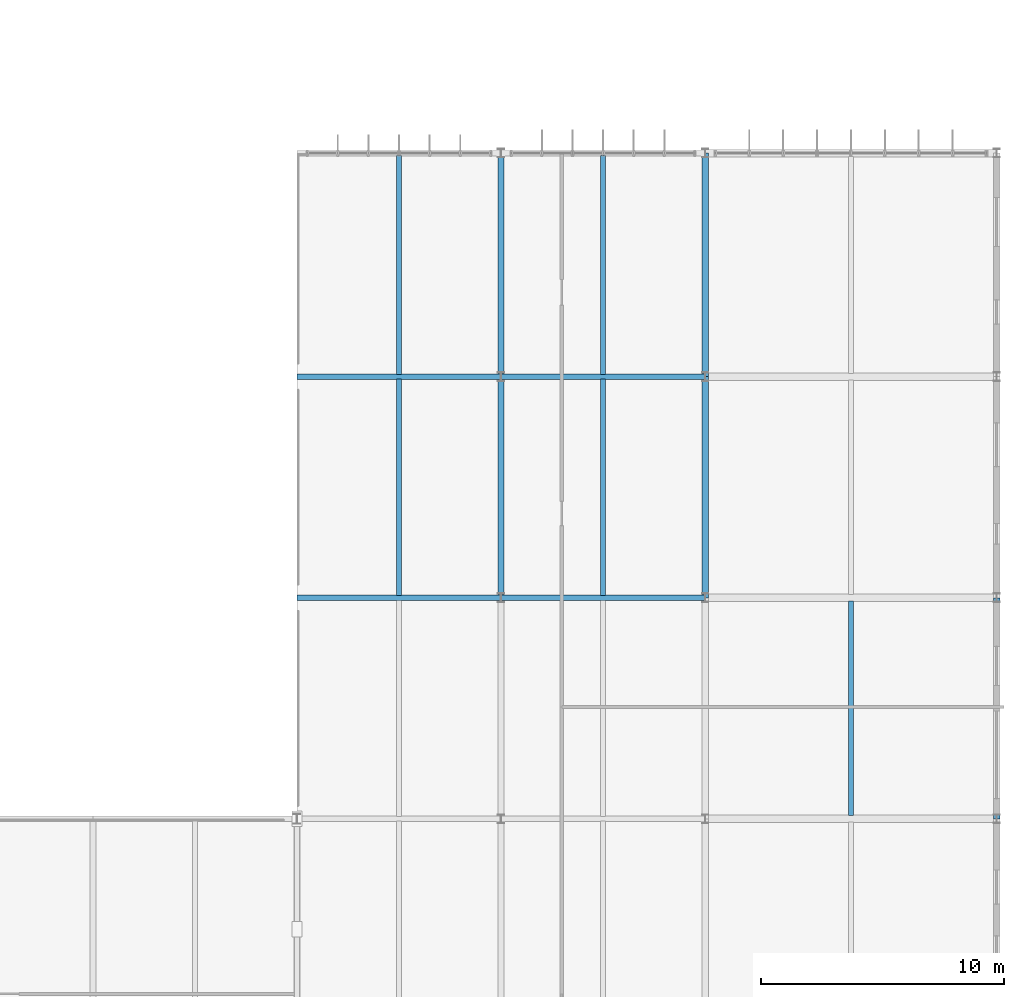
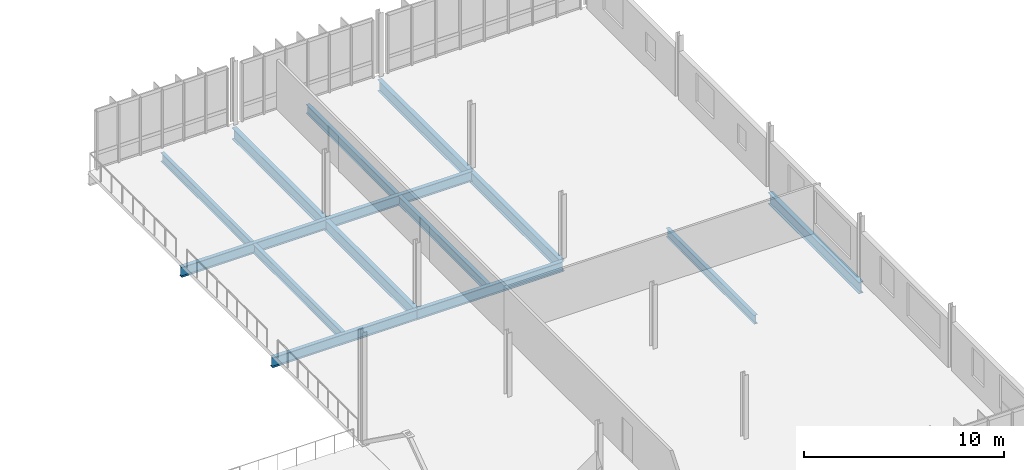
# One storey, part 36 of 61: 14 beams.
"""IFC4 building model written with IfcOpenShell, lengths in metres."""

import ifcopenshell
import ifcopenshell.guid

model = None  # the IFC model being written
_history = None  # IfcOwnerHistory: only IFC2X3 demands one
_inside = {}  # id of a spatial element -> (the spatial element, [elements in it])
_under = {}  # id of a project, library or spatial element -> (it, [spatial elements below it])
_declared = {}  # id of a project -> (the project, [libraries it declares])
_typed = {}  # id of a type object -> (the type object, [elements of that type])
_made_of = {}  # id of a material, layer set ... -> (it, [elements and type objects made of it])


def new_model(schema):
    """Start an empty IFC model of exactly this schema.

    Asked for "IFC4X3", IfcOpenShell would pick the latest addendum, in which some entities
    have other attributes; the version numbers below select the first issue.
    IFC2X3 requires an IfcOwnerHistory on every rooted entity: one is made here for all.
    """
    global model, _history
    if schema == "IFC4X3":
        model = ifcopenshell.file(schema_version=(4, 3, 0, 0))
    else:
        model = ifcopenshell.file(schema=schema)
    _inside.clear()
    _under.clear()
    _declared.clear()
    _typed.clear()
    _made_of.clear()
    _history = None
    if model.schema == "IFC2X3":
        org = make("IfcOrganization", Name="unknown")
        user = make(
            "IfcPersonAndOrganization",
            ThePerson=make("IfcPerson", FamilyName="unknown"),
            TheOrganization=org,
        )
        app = make(
            "IfcApplication",
            ApplicationDeveloper=org,
            Version="unknown",
            ApplicationFullName="unknown",
            ApplicationIdentifier="unknown",
        )
        _history = make(
            "IfcOwnerHistory",
            OwningUser=user,
            OwningApplication=app,
            ChangeAction="ADDED",
            CreationDate=0,
        )
    return model


def make(cls, **values):
    """One entity of the class cls with the attributes given. An attribute that is None is left unset."""
    return model.create_entity(
        cls, **{name: value for name, value in values.items() if value is not None}
    )


def rooted(cls, **values):
    """An entity with a GlobalId (a new one), such as an element, a storey or a relation."""
    return make(cls, GlobalId=ifcopenshell.guid.new(), OwnerHistory=_history, **values)


def si_unit(unit_type, name, prefix=None):
    """IfcSIUnit, for example si_unit("LENGTHUNIT", "METRE", prefix="MILLI")."""
    return make("IfcSIUnit", UnitType=unit_type, Prefix=prefix, Name=name)


def derived_unit(unit_type, elements):
    """IfcDerivedUnit: a product of units, each with its exponent."""
    return make(
        "IfcDerivedUnit",
        Elements=[
            make("IfcDerivedUnitElement", Unit=unit, Exponent=power)
            for unit, power in elements
        ],
        UnitType=unit_type,
    )


def assignment(units):
    """IfcUnitAssignment: the units of a project."""
    return None if units is None else make("IfcUnitAssignment", Units=units)


def point(xyz):
    """IfcCartesianPoint."""
    return None if xyz is None else make("IfcCartesianPoint", Coordinates=xyz)


def direction(xyz):
    """IfcDirection."""
    return None if xyz is None else make("IfcDirection", DirectionRatios=xyz)


def frame(location, z_axis=None, x_axis=None):
    """IfcAxis2Placement3D, a coordinate frame: its origin and axes. An axis left out is left unset."""
    return make(
        "IfcAxis2Placement3D",
        Location=point(location),
        Axis=direction(z_axis),
        RefDirection=direction(x_axis),
    )


def frame_2d(location, x_axis=None):
    """IfcAxis2Placement2D, a coordinate frame in the plane: its origin and x axis."""
    return make(
        "IfcAxis2Placement2D", Location=point(location), RefDirection=direction(x_axis)
    )


def origin():
    """The frame at (0, 0, 0) with its axes left unset."""
    return frame((0.0, 0.0, 0.0))


def origin_2d():
    """The frame at (0, 0) in the plane with its x axis left unset."""
    return frame_2d((0.0, 0.0))


def place(relative_to, where):
    """IfcLocalPlacement: puts the frame where relative to a parent placement (None: the world)."""
    return make(
        "IfcLocalPlacement", PlacementRelTo=relative_to, RelativePlacement=where
    )


def context(
    kind, dimensions, precision=None, world=None, true_north=None, identifier=None
):
    """IfcGeometricRepresentationContext, for example the 3D "Model" context."""
    return make(
        "IfcGeometricRepresentationContext",
        ContextIdentifier=identifier,
        ContextType=kind,
        CoordinateSpaceDimension=dimensions,
        Precision=precision,
        WorldCoordinateSystem=world,
        TrueNorth=true_north,
    )


def subcontext(parent, identifier, kind, view, scale=None):
    """IfcGeometricRepresentationSubContext, for example "Body" below "Model"."""
    return make(
        "IfcGeometricRepresentationSubContext",
        ContextIdentifier=identifier,
        ContextType=kind,
        ParentContext=parent,
        TargetScale=scale,
        TargetView=view,
    )


def project(units=None, contexts=None):
    """IfcProject with its units and contexts."""
    return rooted(
        "IfcProject",
        Name="project",
        RepresentationContexts=contexts,
        UnitsInContext=assignment(units),
    )


def spatial(cls, under=None, at=None, **own):
    """A site, building, storey or space (cls), placed at a placement, below another one or the project."""
    s = rooted(cls, ObjectPlacement=at, **own)
    if under is not None:
        _under.setdefault(under.id(), (under, []))[1].append(s)
    return s


def profile(cls, at=None, kind="AREA", **sizes):
    """A parametric profile (cls). Its sizes go by their IFC names, for example OverallWidth=200.0."""
    return make(cls, ProfileType=kind, Position=at, **sizes)


def i_section(**sizes):
    """IfcIShapeProfileDef."""
    return profile("IfcIShapeProfileDef", **sizes)


def extrude(swept, where, along, depth):
    """IfcExtrudedAreaSolid: the profile swept, set in the frame where, extruded along a direction by depth."""
    return make(
        "IfcExtrudedAreaSolid",
        SweptArea=swept,
        Position=where,
        ExtrudedDirection=direction(along),
        Depth=depth,
    )


def shape(context_of_items, identifier, shape_type, items):
    """IfcShapeRepresentation: the items that make up one representation, for example the "Body"."""
    return make(
        "IfcShapeRepresentation",
        ContextOfItems=context_of_items,
        RepresentationIdentifier=identifier,
        RepresentationType=shape_type,
        Items=items,
    )


def material(Name=None, Category=None):
    """IfcMaterial."""
    return make("IfcMaterial", Name=Name, Category=Category)


def material_profile(
    of_material, cross_section, Name=None, Category=None, Priority=None
):
    """IfcMaterialProfile: a cross section and its material."""
    return make(
        "IfcMaterialProfile",
        Name=Name,
        Material=of_material,
        Profile=cross_section,
        Priority=Priority,
        Category=Category,
    )


def profile_set(profiles, Name=None, composite=None):
    """IfcMaterialProfileSet."""
    return make(
        "IfcMaterialProfileSet",
        Name=Name,
        MaterialProfiles=profiles,
        CompositeProfile=composite,
    )


def made_of(thing, what):
    """Note that an element or type object is made of a material, layer set ...; save() writes the relation."""
    if what is not None:
        _made_of.setdefault(what.id(), (what, []))[1].append(thing)
    return thing


def type_object(cls, material=None, **own):
    """A type object (cls), such as IfcWallType, which elements share."""
    return made_of(rooted(cls, **own), material)


def element(
    cls,
    number,
    at=None,
    inside=None,
    cuts=None,
    type_object=None,
    material=None,
    context=None,
    identifier="Body",
    shape_type=None,
    held_by="IfcProductDefinitionShape",
    body=None,
    shapes=None,
    **own,
):
    """One element of the class cls, such as IfcWall. Its Tag is "e" and its number.

    at: its placement. inside: the storey or other place that contains it. cuts: it is an
    opening in that element (IfcRelVoidsElement). A single representation is given by context,
    identifier, shape_type and body (its items); several are given by shapes. held_by: the class
    of the entity that holds the representations. save() writes the other relations.
    """
    e = rooted(cls, Tag="e%d" % number, ObjectPlacement=at, **own)
    if body is not None:
        shapes = [shape(context, identifier, shape_type, body)]
    if shapes is not None:
        e.Representation = make(held_by, Representations=shapes)
    if inside is not None:
        _inside.setdefault(inside.id(), (inside, []))[1].append(e)
    if cuts is not None:
        rooted(
            "IfcRelVoidsElement", RelatingBuildingElement=cuts, RelatedOpeningElement=e
        )
    if type_object is not None:
        _typed.setdefault(type_object.id(), (type_object, []))[1].append(e)
    return made_of(e, material)


def aggregate(whole, parts):
    """IfcRelAggregates: a whole, such as a stair, and the parts it consists of."""
    return rooted("IfcRelAggregates", RelatingObject=whole, RelatedObjects=parts)


def save(model, path):
    """Write the relations noted so far, then the file.

    IfcRelAggregates (storeys below a building ...), IfcRelContainedInSpatialStructure (elements
    in a storey), IfcRelDefinesByType, IfcRelAssociatesMaterial and IfcRelDeclares: one each for
    every whole, place, type object, material and project.
    """
    for whole, parts in _under.values():
        aggregate(whole, parts)
    for where, things in _inside.values():
        rooted(
            "IfcRelContainedInSpatialStructure",
            RelatedElements=things,
            RelatingStructure=where,
        )
    for kind, things in _typed.values():
        rooted("IfcRelDefinesByType", RelatedObjects=things, RelatingType=kind)
    for what, things in _made_of.values():
        rooted("IfcRelAssociatesMaterial", RelatedObjects=things, RelatingMaterial=what)
    for by, libraries in _declared.values():
        rooted("IfcRelDeclares", RelatingContext=by, RelatedDefinitions=libraries)
    model.write(path)


model = new_model("IFC4")

# Units and contexts
model_context = context("Model", 3, precision=1e-05, world=origin(), true_north=direction((0.0, 1.0)))
body_context = subcontext(model_context, "Body", "Model", "MODEL_VIEW")
ifc_project = project(units=[si_unit("LENGTHUNIT", "METRE"), si_unit("AREAUNIT", "SQUARE_METRE"), si_unit("VOLUMEUNIT", "CUBIC_METRE"), si_unit("PLANEANGLEUNIT", "RADIAN"), si_unit("MASSUNIT", "GRAM", prefix="KILO"), derived_unit("THERMALTRANSMITTANCEUNIT", [(si_unit("MASSUNIT", "GRAM", prefix="KILO"), 1), (si_unit("TIMEUNIT", "SECOND"), -3), (si_unit("THERMODYNAMICTEMPERATUREUNIT", "KELVIN"), -1)])], contexts=[model_context])

# Site, building, storey
site_placement = place(None, origin())
site = spatial("IfcSite", under=ifc_project, at=site_placement, CompositionType="ELEMENT")
building_placement = place(site_placement, origin())
building = spatial("IfcBuilding", under=site, at=building_placement, Name="Makaiwela Harbour Ferry Terminal", CompositionType="ELEMENT")
storey_placement = place(building_placement, frame((0.0, 0.0, 13.800048828125)))
storey = spatial("IfcBuildingStorey", under=building, at=storey_placement, Name="L03", CompositionType="ELEMENT", Elevation=13.800048828125)

# Beams
ifc_material = material(Name="Steel ASTM A992 Grade 50", Category="steel")
ifc_material_profile_1 = material_profile(ifc_material, i_section(OverallWidth=0.2099609375, OverallDepth=0.537109375, WebThickness=0.010986328125, FlangeThickness=0.017333984375, at=origin_2d()), Name="W21X68")
ifc_profile_set_1 = profile_set([ifc_material_profile_1], Name="Steel ASTM A992 Grade 50")
beam_type_1 = type_object("IfcBeamType", Name="STR-BM-W21X68", PredefinedType="BEAM", material=ifc_profile_set_1)
beam_1_placement = place(storey_placement, frame((142.800048828125, 76.79638671875, -0.508544921875), z_axis=(0.0, 1.0, 0.0), x_axis=(-1.0, 0.0, 0.0)))
element("IfcBeam", 1, at=beam_1_placement, inside=storey, type_object=beam_type_1, Name="Secondary floor beam 1652", PredefinedType="BEAM", context=body_context, shape_type="SweptSolid", body=[
    extrude(i_section(OverallWidth=0.2099609375, OverallDepth=0.537109375, WebThickness=0.010986328125, FlangeThickness=0.017333984375, at=origin_2d()), origin(), (0.0, 0.0, 1.0), 8.9072265625),
])
beam_2_placement = place(storey_placement, frame((142.800048828125, 85.896484375, -0.508544921875), z_axis=(0.0, 1.0, 0.0), x_axis=(-1.0, 0.0, 0.0)))
element("IfcBeam", 2, at=beam_2_placement, inside=storey, type_object=beam_type_1, Name="Secondary floor beam 1653", PredefinedType="BEAM", context=body_context, shape_type="SweptSolid", body=[
    extrude(i_section(OverallWidth=0.2099609375, OverallDepth=0.537109375, WebThickness=0.010986328125, FlangeThickness=0.017333984375, at=origin_2d()), origin(), (0.0, 0.0, 1.0), 9.007080078125),
])
beam_3_placement = place(storey_placement, frame((151.199951171875, 76.79638671875, -0.508544921875), z_axis=(0.0, 1.0, 0.0), x_axis=(-1.0, 0.0, 0.0)))
element("IfcBeam", 3, at=beam_3_placement, inside=storey, type_object=beam_type_1, Name="Secondary floor beam 1657", PredefinedType="BEAM", context=body_context, shape_type="SweptSolid", body=[
    extrude(i_section(OverallWidth=0.2099609375, OverallDepth=0.537109375, WebThickness=0.010986328125, FlangeThickness=0.017333984375, at=origin_2d()), origin(), (0.0, 0.0, 1.0), 8.9072265625),
])
beam_4_placement = place(storey_placement, frame((151.199951171875, 85.896484375, -0.508544921875), z_axis=(0.0, 1.0, 0.0), x_axis=(-1.0, 0.0, 0.0)))
element("IfcBeam", 4, at=beam_4_placement, inside=storey, type_object=beam_type_1, Name="Secondary floor beam 1658", PredefinedType="BEAM", context=body_context, shape_type="SweptSolid", body=[
    extrude(i_section(OverallWidth=0.2099609375, OverallDepth=0.537109375, WebThickness=0.010986328125, FlangeThickness=0.017333984375, at=origin_2d()), origin(), (0.0, 0.0, 1.0), 9.007080078125),
])
beam_5_placement = place(storey_placement, frame((161.39990234375, 67.737060546875, -0.508544921875), z_axis=(0.0, 1.0, 0.0), x_axis=(-1.0, 0.0, 0.0)))
element("IfcBeam", 5, at=beam_5_placement, inside=storey, type_object=beam_type_1, Name="Secondary floor beam 1661", PredefinedType="BEAM", context=body_context, shape_type="SweptSolid", body=[
    extrude(i_section(OverallWidth=0.2099609375, OverallDepth=0.537109375, WebThickness=0.010986328125, FlangeThickness=0.017333984375, at=origin_2d()), origin(), (0.0, 0.0, 1.0), 8.825927734375),
])
ifc_material_profile_2 = material_profile(ifc_material, i_section(OverallWidth=0.22900390625, OverallDepth=0.612060546875, WebThickness=0.011962890625, FlangeThickness=0.01953125, at=origin_2d()), Name="W24X84")
ifc_profile_set_2 = profile_set([ifc_material_profile_2], Name="Steel ASTM A992 Grade 50")
beam_type_2 = type_object("IfcBeamType", Name="STR-GRD-W24X84", PredefinedType="USERDEFINED", material=ifc_profile_set_2)
for number, where, z_axis, x_axis, name in (
    (6, (138.60009765625, 76.699951171875, -0.546142578125), (1.0, 0.0, 0.0), (0.0, 1.0, 0.0), "Primary X girder 1589"),
    (7, (147.0, 76.699951171875, -0.546142578125), (1.0, 0.0, 0.0), (0.0, 1.0, 0.0), "Primary X girder 1590"),
    (8, (138.60009765625, 85.800048828125, -0.546142578125), (1.0, 0.0, 0.0), (0.0, 1.0, 0.0), "Primary X girder 1592"),
    (9, (147.0, 85.800048828125, -0.546142578125), (1.0, 0.0, 0.0), (0.0, 1.0, 0.0), "Primary X girder 1593"),
):
    element("IfcBeam", number, at=place(storey_placement, frame(where, z_axis=z_axis, x_axis=x_axis)), inside=storey, type_object=beam_type_2, Name=name, ObjectType="GIRDER", PredefinedType="USERDEFINED", context=body_context, shape_type="SweptSolid", body=[
        extrude(i_section(OverallWidth=0.22900390625, OverallDepth=0.612060546875, WebThickness=0.011962890625, FlangeThickness=0.01953125, at=origin_2d()), origin(), (0.0, 0.0, 1.0), 8.39990234375),
    ])
ifc_material_profile_3 = material_profile(ifc_material, i_section(OverallWidth=0.256103515625, OverallDepth=0.693115234375, WebThickness=0.014404296875, FlangeThickness=0.023681640625, at=origin_2d()), Name="W27X114")
ifc_profile_set_3 = profile_set([ifc_material_profile_3], Name="Steel ASTM A992 Grade 50")
beam_type_3 = type_object("IfcBeamType", Name="STR-GRD-W27X114", PredefinedType="USERDEFINED", material=ifc_profile_set_3)
beam_6_placement = place(storey_placement, frame((147.0, 76.699951171875, -0.586669921875), z_axis=(0.0, 1.0, 0.0), x_axis=(-1.0, 0.0, 0.0)))
element("IfcBeam", 10, at=beam_6_placement, inside=storey, type_object=beam_type_3, Name="Primary Y girder 1621", ObjectType="GIRDER", PredefinedType="USERDEFINED", context=body_context, shape_type="SweptSolid", body=[
    extrude(i_section(OverallWidth=0.256103515625, OverallDepth=0.693115234375, WebThickness=0.014404296875, FlangeThickness=0.023681640625, at=origin_2d()), origin(), (0.0, 0.0, 1.0), 9.10009765625),
])
beam_7_placement = place(storey_placement, frame((147.0, 85.800048828125, -0.586669921875), z_axis=(0.0, 1.0, 0.0), x_axis=(-1.0, 0.0, 0.0)))
element("IfcBeam", 11, at=beam_7_placement, inside=storey, type_object=beam_type_3, Name="Primary Y girder 1622", ObjectType="GIRDER", PredefinedType="USERDEFINED", context=body_context, shape_type="SweptSolid", body=[
    extrude(i_section(OverallWidth=0.256103515625, OverallDepth=0.693115234375, WebThickness=0.014404296875, FlangeThickness=0.023681640625, at=origin_2d()), origin(), (0.0, 0.0, 1.0), 9.199951171875),
])
beam_8_placement = place(storey_placement, frame((155.39990234375, 76.699951171875, -0.586669921875), z_axis=(0.0, 1.0, 0.0), x_axis=(-1.0, 0.0, 0.0)))
element("IfcBeam", 12, at=beam_8_placement, inside=storey, type_object=beam_type_3, Name="Primary Y girder 1626", ObjectType="GIRDER", PredefinedType="USERDEFINED", context=body_context, shape_type="SweptSolid", body=[
    extrude(i_section(OverallWidth=0.256103515625, OverallDepth=0.693115234375, WebThickness=0.014404296875, FlangeThickness=0.023681640625, at=origin_2d()), origin(), (0.0, 0.0, 1.0), 9.10009765625),
])
beam_9_placement = place(storey_placement, frame((155.39990234375, 85.800048828125, -0.586669921875), z_axis=(0.0, 1.0, 0.0), x_axis=(-1.0, 0.0, 0.0)))
element("IfcBeam", 13, at=beam_9_placement, inside=storey, type_object=beam_type_3, Name="Primary Y girder 1627", ObjectType="GIRDER", PredefinedType="USERDEFINED", context=body_context, shape_type="SweptSolid", body=[
    extrude(i_section(OverallWidth=0.256103515625, OverallDepth=0.693115234375, WebThickness=0.014404296875, FlangeThickness=0.023681640625, at=origin_2d()), origin(), (0.0, 0.0, 1.0), 9.199951171875),
])
beam_10_placement = place(storey_placement, frame((167.39990234375, 67.60009765625, -0.586669921875), z_axis=(0.0, 1.0, 0.0), x_axis=(-1.0, 0.0, 0.0)))
element("IfcBeam", 14, at=beam_10_placement, inside=storey, type_object=beam_type_3, Name="Primary Y girder 1630", ObjectType="GIRDER", PredefinedType="USERDEFINED", context=body_context, shape_type="SweptSolid", body=[
    extrude(i_section(OverallWidth=0.256103515625, OverallDepth=0.693115234375, WebThickness=0.014404296875, FlangeThickness=0.023681640625, at=origin_2d()), origin(), (0.0, 0.0, 1.0), 9.099853515625),
])

save(model, "model.ifc")
